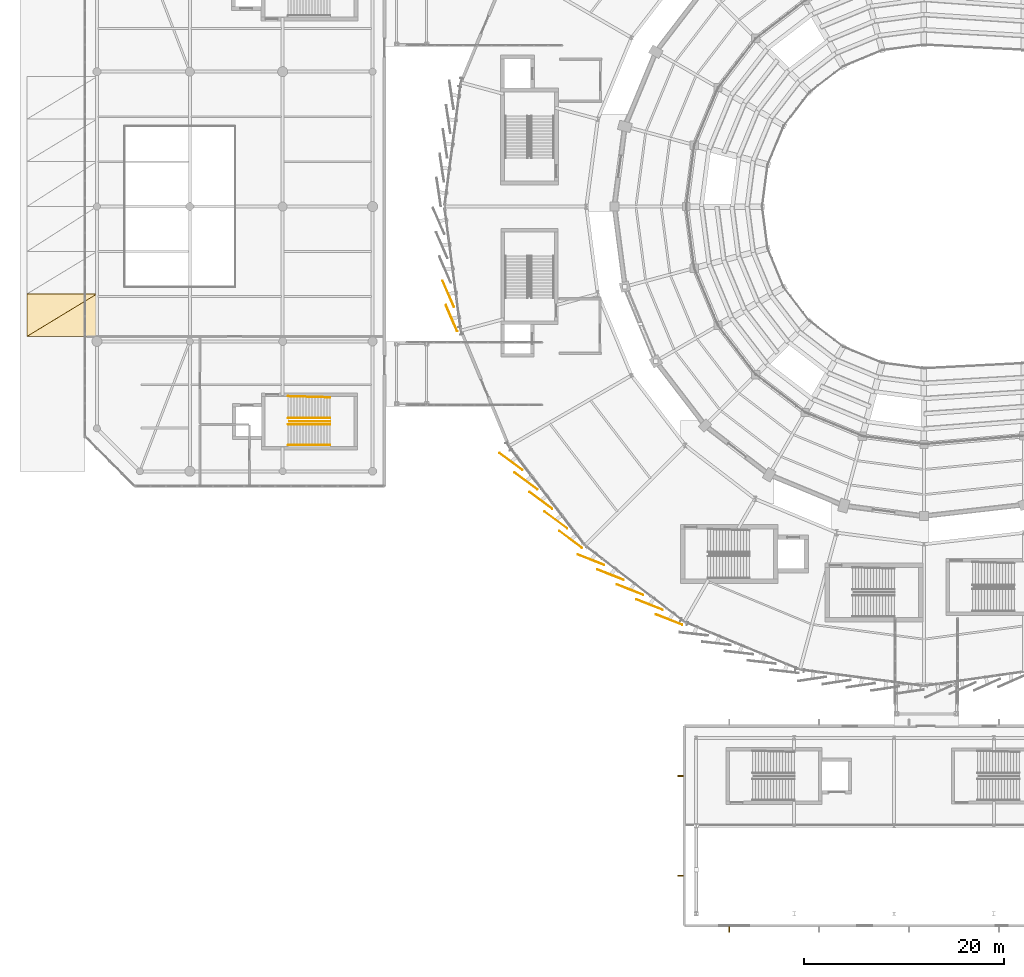
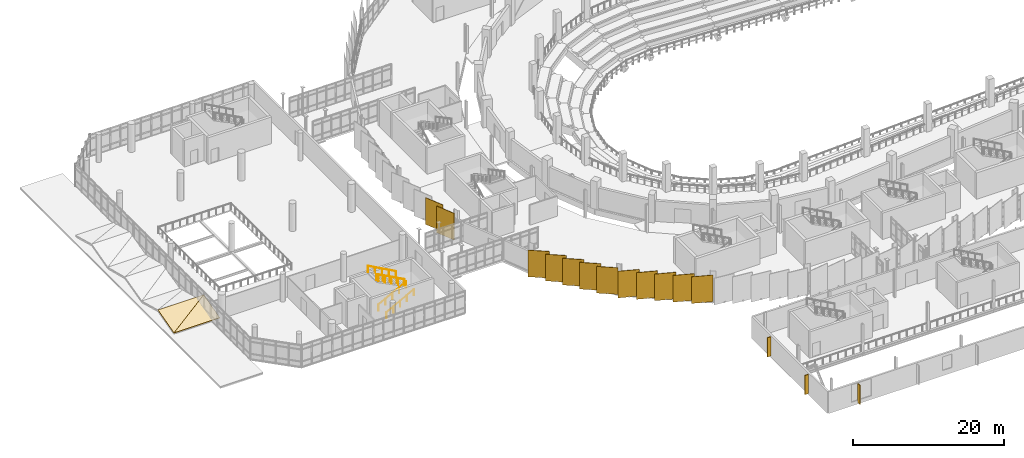
# One storey, part 123 of 134: 14 coverings, 5 railings, 3 shading devices.
"""IFC4 building model written with IfcOpenShell, lengths in metres."""

from ifc_helpers import new_model, si_unit, direction, frame, origin, origin_2d, place, context, subcontext, project, spatial, polyline, rectangle, circle, outline, extrude, material, layer, layer_set, type_object, element, save


model = new_model("IFC4")

# Units and contexts
model_context = context("Model", 3, precision=1e-05, world=origin(), true_north=direction((0.0, 1.0)))
body_context = subcontext(model_context, "Body", "Model", "MODEL_VIEW")
ifc_project = project(units=[si_unit("LENGTHUNIT", "METRE"), si_unit("AREAUNIT", "SQUARE_METRE"), si_unit("VOLUMEUNIT", "CUBIC_METRE"), si_unit("PLANEANGLEUNIT", "RADIAN"), si_unit("MASSUNIT", "GRAM", prefix="KILO")], contexts=[model_context])

# Site, building, storey
site_placement = place(None, origin())
site = spatial("IfcSite", under=ifc_project, at=site_placement, CompositionType="ELEMENT")
building_placement = place(site_placement, origin())
building = spatial("IfcBuilding", under=site, at=building_placement, Name="Sohan Crest Arena", CompositionType="ELEMENT")
storey_placement = place(building_placement, frame((0.0, 0.0, 4.5)))
storey = spatial("IfcBuildingStorey", under=building, at=storey_placement, Name="L01", CompositionType="ELEMENT", Elevation=4.5)

# Railings
ifc_material_1 = material(Name="Powder-coated wrought steel balustrade", Category="steel")
railing_type_1 = type_object("IfcRailingType", Name="ARC-GRD-01", PredefinedType="GUARDRAIL", material=ifc_material_1)
railing_1_placement = place(storey_placement, frame((38.530029296875, 56.5, 2.25)))
element("IfcRailing", 1, at=railing_1_placement, inside=storey, type_object=railing_type_1, Name="Stair well slot guard GRD-072", PredefinedType="GUARDRAIL", context=body_context, shape_type="SweptSolid", body=[
    extrude(circle(Radius=0.02392578125, at=origin_2d()), frame((0.0, 0.0, 1.076171875), z_axis=(-0.87313487534, 0.0, 0.487478706678), x_axis=(0.0, -1.0, 0.0)), (0.0, 0.0, 1.0), 4.615478515625),
    extrude(circle(Radius=0.02099609375, at=origin_2d()), origin(), (0.0, 0.0, 1.0), 1.052001953125),
    extrude(circle(Radius=0.02099609375, at=origin_2d()), frame((-1.007568359375, 0.0, 0.5625)), (0.0, 0.0, 1.0), 1.052001953125),
    extrude(circle(Radius=0.02099609375, at=origin_2d()), frame((-2.01513671875, 0.0, 1.125)), (0.0, 0.0, 1.0), 1.052001953125),
    extrude(circle(Radius=0.02099609375, at=origin_2d()), frame((-3.0224609375, 0.0, 1.6875)), (0.0, 0.0, 1.0), 1.052001953125),
    extrude(circle(Radius=0.02099609375, at=origin_2d()), frame((-4.030029296875, 0.0, 2.25)), (0.0, 0.0, 1.0), 1.052001953125),
])
ifc_material_2 = material(Name="Brushed stainless steel stair handrail", Category="steel")
railing_type_2 = type_object("IfcRailingType", Name="ARC-HR-01", PredefinedType="HANDRAIL", material=ifc_material_2)
for number, where, name in (
    (2, (34.35009765625, 54.110107421875, 0.0), "Stair pitch handrail HR-237"),
    (3, (34.35009765625, 56.18994140625, 0.0), "Stair pitch handrail HR-238"),
):
    element("IfcRailing", number, at=place(storey_placement, frame(where)), inside=storey, type_object=railing_type_2, Name=name, PredefinedType="HANDRAIL", context=body_context, shape_type="SweptSolid", body=[
        extrude(circle(Radius=0.02392578125, at=origin_2d()), frame((0.0, 0.0, 0.97607421875), z_axis=(0.881477684796, 0.0, 0.472225678258), x_axis=(0.0, 1.0, 0.0)), (0.0, 0.0, 1.0), 4.7646484375),
        extrude(circle(Radius=0.02099609375, at=origin_2d()), origin(), (0.0, 0.0, 1.0), 0.951904296875),
        extrude(circle(Radius=0.02099609375, at=origin_2d()), frame((1.050048828125, 0.0, 0.5625)), (0.0, 0.0, 1.0), 0.951904296875),
        extrude(circle(Radius=0.02099609375, at=origin_2d()), frame((2.10009765625, 0.0, 1.125)), (0.0, 0.0, 1.0), 0.951904296875),
        extrude(circle(Radius=0.02099609375, at=origin_2d()), frame((3.14990234375, 0.0, 1.6875)), (0.0, 0.0, 1.0), 0.951904296875),
        extrude(circle(Radius=0.02099609375, at=origin_2d()), frame((4.199951171875, 0.0, 2.25)), (0.0, 0.0, 1.0), 0.951904296875),
    ])
railing_2_placement = place(storey_placement, frame((38.550048828125, 56.81005859375, 2.25)))
element("IfcRailing", 4, at=railing_2_placement, inside=storey, type_object=railing_type_2, Name="Stair pitch handrail HR-239", PredefinedType="HANDRAIL", context=body_context, shape_type="SweptSolid", body=[
    extrude(circle(Radius=0.02392578125, at=origin_2d()), frame((0.0, 0.0, 0.97607421875), z_axis=(-0.881477684796, 0.0, 0.472225678258), x_axis=(0.0, -1.0, 0.0)), (0.0, 0.0, 1.0), 4.7646484375),
    extrude(circle(Radius=0.02099609375, at=origin_2d()), origin(), (0.0, 0.0, 1.0), 0.951904296875),
    extrude(circle(Radius=0.02099609375, at=origin_2d()), frame((-1.050048828125, 0.0, 0.5625)), (0.0, 0.0, 1.0), 0.951904296875),
    extrude(circle(Radius=0.02099609375, at=origin_2d()), frame((-2.10009765625, 0.0, 1.125)), (0.0, 0.0, 1.0), 0.951904296875),
    extrude(circle(Radius=0.02099609375, at=origin_2d()), frame((-3.14990234375, 0.0, 1.6875)), (0.0, 0.0, 1.0), 0.951904296875),
    extrude(circle(Radius=0.02099609375, at=origin_2d()), frame((-4.199951171875, 0.0, 2.25)), (0.0, 0.0, 1.0), 0.951904296875),
])
railing_3_placement = place(storey_placement, frame((38.550048828125, 58.889892578125, 2.25)))
element("IfcRailing", 5, at=railing_3_placement, inside=storey, type_object=railing_type_2, Name="Stair pitch handrail HR-240", PredefinedType="HANDRAIL", context=body_context, shape_type="SweptSolid", body=[
    extrude(circle(Radius=0.02392578125, at=origin_2d()), frame((0.0, 0.0, 0.97607421875), z_axis=(-0.881197710057, 0.025201957411, 0.472075690047), x_axis=(-0.028587973606, -0.999591280357, 0.0)), (0.0, 0.0, 1.0), 4.76611328125),
    extrude(circle(Radius=0.02099609375, at=origin_2d()), origin(), (0.0, 0.0, 1.0), 0.951904296875),
    extrude(circle(Radius=0.02099609375, at=origin_2d()), frame((-1.050048828125, 0.030029296875, 0.5625)), (0.0, 0.0, 1.0), 0.951904296875),
    extrude(circle(Radius=0.02099609375, at=origin_2d()), frame((-2.10009765625, 0.06005859375, 1.125)), (0.0, 0.0, 1.0), 0.951904296875),
    extrude(circle(Radius=0.02099609375, at=origin_2d()), frame((-3.14990234375, 0.090087890625, 1.6875)), (0.0, 0.0, 1.0), 0.951904296875),
    extrude(circle(Radius=0.02099609375, at=origin_2d()), frame((-4.199951171875, 0.1201171875, 2.25)), (0.0, 0.0, 1.0), 0.951904296875),
])

# Shading devices
ifc_material_3 = material(Name="Glazed terracotta ceramic solar fin", Category="masonry")
ifc_layer_1 = layer(ifc_material_3, 0.070068359375, Name="Glazed terracotta ceramic solar fin")
ifc_layer_set_1 = layer_set([ifc_layer_1], Name="Glazed terracotta ceramic solar fin")
shading_device_type = type_object("IfcShadingDeviceType", Name="ARC-SHD-FIN1", PredefinedType="USERDEFINED", material=ifc_layer_set_1)
for number, where, z_axis, x_axis, name in (
    (6, (78.5, 5.60009765625, 0.199951171875), (0.0, 0.0, 1.0), (1.0, 0.0, 0.0), "Catalan terracotta facade fin FIN-051"),
    (7, (73.60009765625, 21.0, 0.199951171875), (0.0, 0.0, 1.0), (0.0, -1.0, 0.0), "Catalan terracotta facade fin FIN-073"),
    (8, (73.60009765625, 11.0, 0.199951171875), (0.0, 0.0, 1.0), (0.0, -1.0, 0.0), "Catalan terracotta facade fin FIN-074"),
):
    element("IfcShadingDevice", number, at=place(storey_placement, frame(where, z_axis=z_axis, x_axis=x_axis)), inside=storey, type_object=shading_device_type, Name=name, ObjectType="FIN", PredefinedType="USERDEFINED", context=body_context, shape_type="SweptSolid", body=[
        extrude(rectangle(XDim=0.139892578125, YDim=0.550048828125, at=origin_2d()), origin(), (0.0, 0.0, 1.0), 3.10009765625),
    ])

# Coverings
ifc_material_4 = material(Name="Standing-seam insulated acoustic roof liner", Category="aluminium")
ifc_layer_2 = layer(ifc_material_4, 0.114990234375, Name="Standing-seam insulated acoustic roof liner")
ifc_layer_set_2 = layer_set([ifc_layer_2], Name="Standing-seam insulated acoustic roof liner")
covering_type_1 = type_object("IfcCoveringType", Name="COV-RF2", PredefinedType="ROOFING", material=ifc_layer_set_2)
covering_1_placement = place(storey_placement, frame((8.208984375, 65.0029296875, 0.200927734375), z_axis=(0.0, -0.259620573011, 0.965710701023), x_axis=(1.0, 0.0, 0.0)))
element("IfcCovering", 9, at=covering_1_placement, inside=storey, type_object=covering_type_1, Name="Standing-seam acoustic roof covering RF-CV-125", PredefinedType="ROOFING", context=body_context, shape_type="SweptSolid", body=[
    extrude(outline(polyline([(0.0, 0.0), (6.986083984375, 0.0), (6.986083984375, 4.391549966656217), (0.0, 0.0)])), origin(), (0.0, 0.0, -1.0), 0.114990234375),
])
covering_2_placement = place(storey_placement, frame((8.205078125, 65.006103515625, 0.200927734375), z_axis=(0.0, -0.259620573011, 0.965710701023), x_axis=(0.84661194233, 0.513961559034, 0.138172844436)))
element("IfcCovering", 10, at=covering_2_placement, inside=storey, type_object=covering_type_1, Name="Standing-seam acoustic roof covering RF-CV-126", PredefinedType="ROOFING", context=body_context, shape_type="SweptSolid", body=[
    extrude(outline(polyline([(0.0, 0.0), (8.251525279132535, 1.1102230246251565e-16), (2.3372298402103038, 3.7179386471092735), (0.0, 0.0)])), origin(), (0.0, 0.0, -1.0), 0.114990234375),
])
ifc_material_5 = material(Name="Glazed ivory trencadis ceramic cladding", Category="masonry")
ifc_layer_3 = layer(ifc_material_5, 0.06494140625, Name="Glazed ivory trencadis ceramic cladding")
ifc_layer_set_3 = layer_set([ifc_layer_3], Name="Glazed ivory trencadis ceramic cladding")
covering_type_2 = type_object("IfcCoveringType", Name="COV-SC-IV", PredefinedType="CLADDING", material=ifc_layer_set_3)
for number, where, z_axis, x_axis, name in (
    (11, (50.385009765625, 69.256103515625, -0.2001953125), (0.0, 0.0, 1.0), (0.398749068925, -0.917060074385, 0.0), "Rotated trencadis ceramic scale panel SC-0029"),
    (12, (56.654052734375, 52.4609375, -0.2001953125), (0.0, 0.0, 1.0), (0.803856860617, -0.594822786751, 0.0), "Rotated trencadis ceramic scale panel SC-0031"),
    (13, (58.14794921875, 50.513916015625, -0.2001953125), (0.0, 0.0, 1.0), (0.803856860617, -0.594822786751, 0.0), "Rotated trencadis ceramic scale panel SC-0032"),
    (14, (61.135986328125, 46.6201171875, -0.2001953125), (0.0, 0.0, 1.0), (0.803856860617, -0.594822786751, 0.0), "Rotated trencadis ceramic scale panel SC-0034"),
    (15, (62.6298828125, 44.673095703125, -0.2001953125), (0.0, 0.0, 1.0), (0.803856860617, -0.594822786751, 0.0), "Rotated trencadis ceramic scale panel SC-0035"),
    (16, (64.673095703125, 42.6298828125, -0.2001953125), (0.0, 0.0, 1.0), (0.930417567982, -0.366501226724, 0.0), "Rotated trencadis ceramic scale panel SC-0036"),
    (17, (68.56689453125, 39.64208984375, -0.2001953125), (0.0, 0.0, 1.0), (0.930417567982, -0.366501226724, 0.0), "Rotated trencadis ceramic scale panel SC-0038"),
    (18, (70.513916015625, 38.14794921875, -0.2001953125), (0.0, 0.0, 1.0), (0.930417567982, -0.366501226724, 0.0), "Rotated trencadis ceramic scale panel SC-0039"),
    (19, (72.4609375, 36.654052734375, -0.2001953125), (0.0, 0.0, 1.0), (0.930417567982, -0.366501226724, 0.0), "Rotated trencadis ceramic scale panel SC-0040"),
):
    element("IfcCovering", number, at=place(storey_placement, frame(where, z_axis=z_axis, x_axis=x_axis)), inside=storey, type_object=covering_type_2, Name=name, PredefinedType="CLADDING", context=body_context, shape_type="SweptSolid", body=[
        extrude(rectangle(XDim=2.85009765625, YDim=0.06494140625, at=origin_2d()), origin(), (0.0, 0.0, 1.0), 4.300048828125),
    ])
ifc_material_6 = material(Name="Glazed terracotta trencadis ceramic cladding", Category="masonry")
ifc_layer_4 = layer(ifc_material_6, 0.074951171875, Name="Glazed terracotta trencadis ceramic cladding")
ifc_layer_set_4 = layer_set([ifc_layer_4], Name="Glazed terracotta trencadis ceramic cladding")
covering_type_3 = type_object("IfcCoveringType", Name="COV-SC-TC", PredefinedType="CLADDING", material=ifc_layer_set_4)
for number, where, z_axis, x_axis, name in (
    (20, (50.705078125, 66.822998046875, -0.2001953125), (0.0, 0.0, 1.0), (0.398749068925, -0.917060074385, 0.0), "Rotated trencadis ceramic scale panel SC-0030"),
    (21, (59.64208984375, 48.56689453125, -0.2001953125), (0.0, 0.0, 1.0), (0.803856860617, -0.594822786751, 0.0), "Rotated trencadis ceramic scale panel SC-0033"),
    (22, (66.6201171875, 41.135986328125, -0.2001953125), (0.0, 0.0, 1.0), (0.930417567982, -0.366501226724, 0.0), "Rotated trencadis ceramic scale panel SC-0037"),
):
    element("IfcCovering", number, at=place(storey_placement, frame(where, z_axis=z_axis, x_axis=x_axis)), inside=storey, type_object=covering_type_3, Name=name, PredefinedType="CLADDING", context=body_context, shape_type="SweptSolid", body=[
        extrude(rectangle(XDim=2.85009765625, YDim=0.074951171875, at=origin_2d()), origin(), (0.0, 0.0, 1.0), 4.300048828125),
    ])

save(model, "model.ifc")
